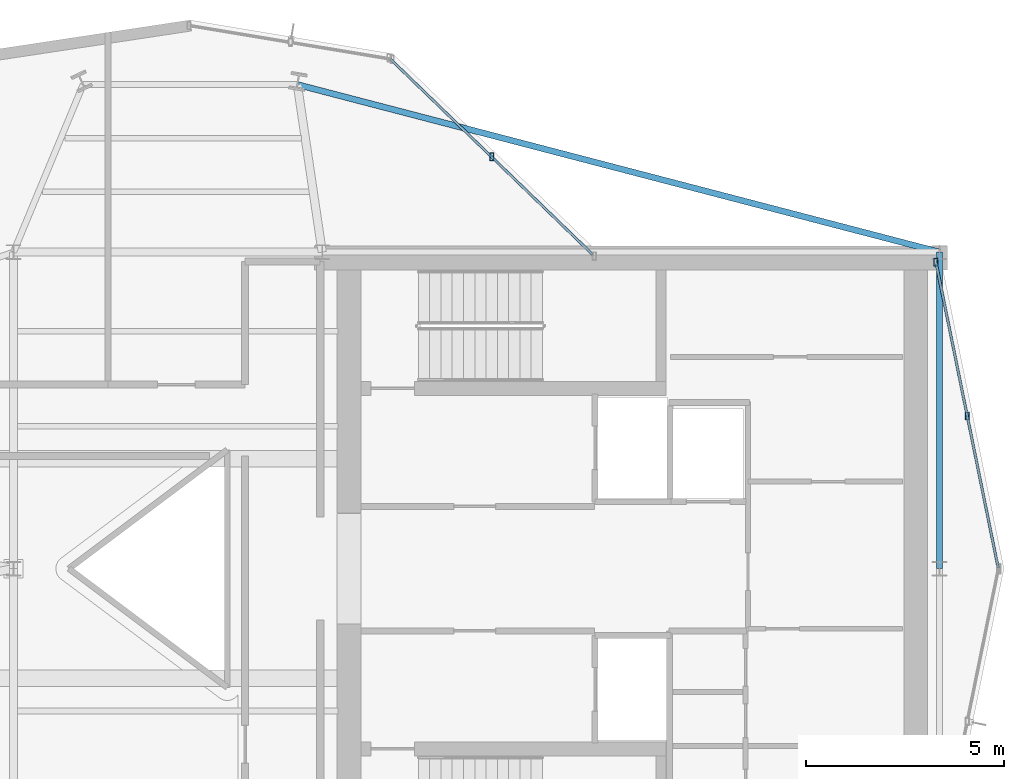
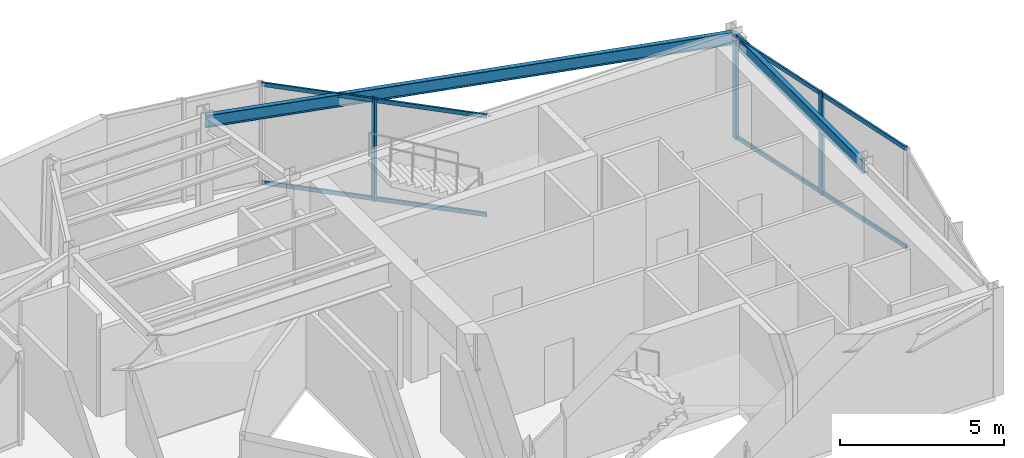
# One storey, part 9 of 18: 7 members, 2 beams, 2 elements without a shape of their own.
"""IFC4 building model written with IfcOpenShell, lengths in metres."""

from ifc_helpers import new_model, si_unit, direction, frame, origin, origin_2d, place, context, subcontext, project, spatial, hollow_rectangle, i_section, extrude, material, layer, layer_set, material_profile, profile_set, type_object, element, aggregate, save


model = new_model("IFC4")

# Units and contexts
model_context = context("Model", 3, precision=1e-05, world=origin(), true_north=direction((0.0, 1.0)))
body_context = subcontext(model_context, "Body", "Model", "MODEL_VIEW")
ifc_project = project(units=[si_unit("LENGTHUNIT", "METRE"), si_unit("AREAUNIT", "SQUARE_METRE"), si_unit("VOLUMEUNIT", "CUBIC_METRE"), si_unit("PLANEANGLEUNIT", "RADIAN"), si_unit("MASSUNIT", "GRAM", prefix="KILO")], contexts=[model_context])

# Site, building, storey
site_placement = place(None, origin())
site = spatial("IfcSite", under=ifc_project, at=site_placement, CompositionType="ELEMENT")
building_placement = place(site_placement, origin())
building = spatial("IfcBuilding", under=site, at=building_placement, Name="Veymaron Broadcast Tower", CompositionType="ELEMENT")
storey_placement = place(building_placement, frame((0.0, 0.0, 319.5)))
storey = spatial("IfcBuildingStorey", under=building, at=storey_placement, Name="L75", CompositionType="ELEMENT", Elevation=319.5)

# Beams
ifc_material_1 = material(Name="Structural steel ASTM A992 Gr 50", Category="steel")
ifc_material_profile_1 = material_profile(ifc_material_1, i_section(OverallWidth=0.154052734375, OverallDepth=0.458984375, WebThickness=0.009033203125, FlangeThickness=0.015380859375, at=origin_2d()), Name="W460X68")
ifc_profile_set_1 = profile_set([ifc_material_profile_1], Name="Structural steel ASTM A992 Gr 50")
beam_type = type_object("IfcBeamType", Name="BM-SP2", PredefinedType="SPANDREL", material=ifc_profile_set_1)
beam_1_placement = place(storey_placement, frame((54.60009765625, 24.0, 3.58056640625), z_axis=(0.0, 1.0, 0.0), x_axis=(-1.0, 0.0, 0.0)))
element("IfcBeam", 1, at=beam_1_placement, inside=storey, type_object=beam_type, Name="L75 primary structural floor girder", PredefinedType="SPANDREL", context=body_context, shape_type="SweptSolid", body=[
    extrude(i_section(OverallWidth=0.154052734375, OverallDepth=0.458984375, WebThickness=0.009033203125, FlangeThickness=0.015380859375, at=origin_2d()), origin(), (0.0, 0.0, 1.0), 8.0),
])
beam_2_placement = place(storey_placement, frame((54.60009765625, 32.0, 3.58056640625), z_axis=(-0.967638602799, 0.252340116457, 0.0), x_axis=(-0.252340116457, -0.967638602799, 0.0)))
element("IfcBeam", 2, at=beam_2_placement, inside=storey, type_object=beam_type, Name="L75 primary structural floor girder", PredefinedType="SPANDREL", context=body_context, shape_type="SweptSolid", body=[
    extrude(i_section(OverallWidth=0.154052734375, OverallDepth=0.458984375, WebThickness=0.009033203125, FlangeThickness=0.015380859375, at=origin_2d()), origin(), (0.0, 0.0, 1.0), 16.770751953125),
])

# Curtain wall, members
ifc_material_2 = material(Name="Anodised aluminium AA 6063-T6 and laminated low-E dark glass", Category="aluminium")
ifc_layer = layer(ifc_material_2, 0.179931640625)
ifc_layer_set = layer_set([ifc_layer], Name="Anodised aluminium AA 6063-T6 and laminated low-E dark glass")
curtain_wall_type = type_object("IfcCurtainWallType", Name="CW-SYS-07", PredefinedType="NOTDEFINED", material=ifc_layer_set)
curtain_wall_1_placement = place(storey_placement, origin())
curtain_wall_1 = element("IfcCurtainWall", 3, at=curtain_wall_1_placement, inside=storey, type_object=curtain_wall_type, Name="L75 dark-glass curtain wall CW-L75-E11-1", PredefinedType="NOTDEFINED")
ifc_material_3 = material(Name="Anodised aluminium AA 6063-T6", Category="aluminium")
ifc_material_profile_2 = material_profile(ifc_material_3, hollow_rectangle(XDim=0.10009765625, YDim=0.199951171875, WallThickness=0.010009765625, at=origin_2d()), Name="RHS200X100X10")
ifc_profile_set_2 = profile_set([ifc_material_profile_2], Name="Anodised aluminium AA 6063-T6")
member_type_1 = type_object("IfcMemberType", Name="CW-MUL-01", PredefinedType="MULLION", material=ifc_profile_set_2)
member_1_placement = place(storey_placement, frame((55.301025390625, 27.856689453125, 0.0), z_axis=(0.0, 0.0, 1.0), x_axis=(1.0, 0.0, 0.0)))
member_1 = element("IfcMember", 4, at=member_1_placement, type_object=member_type_1, Name="CW-L75-E11-1 mullion 1", PredefinedType="MULLION", context=body_context, shape_type="SweptSolid", body=[
    extrude(hollow_rectangle(XDim=0.10009765625, YDim=0.199951171875, WallThickness=0.010009765625, at=origin_2d()), origin(), (0.0, 0.0, 1.0), 3.81005859375),
])
member_2_placement = place(storey_placement, frame((54.509765625, 31.7412109375, 0.0), z_axis=(0.0, 0.0, 1.0), x_axis=(1.0, 0.0, 0.0)))
member_2 = element("IfcMember", 5, at=member_2_placement, type_object=member_type_1, Name="CW-L75-E11-1 mullion 2", PredefinedType="MULLION", context=body_context, shape_type="SweptSolid", body=[
    extrude(hollow_rectangle(XDim=0.10009765625, YDim=0.199951171875, WallThickness=0.010009765625, at=origin_2d()), origin(), (0.0, 0.0, 1.0), 3.81005859375),
])

# Curtain wall, member
curtain_wall_2_placement = place(storey_placement, origin())
curtain_wall_2 = element("IfcCurtainWall", 6, at=curtain_wall_2_placement, inside=storey, type_object=curtain_wall_type, Name="L75 dark-glass curtain wall CW-L75-E13-1", PredefinedType="NOTDEFINED")
member_3_placement = place(storey_placement, frame((43.281982421875, 34.40478515625, 0.0), z_axis=(0.0, 0.0, 1.0), x_axis=(1.0, 0.0, 0.0)))
member_3 = element("IfcMember", 7, at=member_3_placement, type_object=member_type_1, Name="CW-L75-E13-1 mullion 1", PredefinedType="MULLION", context=body_context, shape_type="SweptSolid", body=[
    extrude(hollow_rectangle(XDim=0.10009765625, YDim=0.199951171875, WallThickness=0.010009765625, at=origin_2d()), origin(), (0.0, 0.0, 1.0), 3.81005859375),
])

# Member
ifc_material_profile_3 = material_profile(ifc_material_3, hollow_rectangle(XDim=0.06494140625, YDim=0.14990234375, WallThickness=0.00390625, at=origin_2d()), Name="AL150X65X4")
ifc_profile_set_3 = profile_set([ifc_material_profile_3], Name="Anodised aluminium AA 6063-T6")
member_type_2 = type_object("IfcMemberType", Name="CW-TRN-01", PredefinedType="USERDEFINED", material=ifc_profile_set_3)
member_4_placement = place(storey_placement, frame((56.08251953125, 24.02099609375, 0.070068359375), z_axis=(-0.1996111359, 0.97987519329, 0.0), x_axis=(-0.97987519329, -0.1996111359, 0.0)))
member_4 = element("IfcMember", 8, at=member_4_placement, type_object=member_type_2, Name="CW-L75-E11-1 transom B", ObjectType="TRANSOM", PredefinedType="USERDEFINED", context=body_context, shape_type="SweptSolid", body=[
    extrude(hollow_rectangle(XDim=0.06494140625, YDim=0.14990234375, WallThickness=0.00390625, at=origin_2d()), origin(), (0.0, 0.0, 1.0), 7.828857421875),
])

member_5_placement = place(storey_placement, frame((56.08251953125, 24.02099609375, 3.739990234375), z_axis=(-0.1996111359, 0.97987519329, 0.0), x_axis=(-0.97987519329, -0.1996111359, 0.0)))
member_5 = element("IfcMember", 9, at=member_5_placement, type_object=member_type_2, Name="CW-L75-E11-1 transom T", ObjectType="TRANSOM", PredefinedType="USERDEFINED", context=body_context, shape_type="SweptSolid", body=[
    extrude(hollow_rectangle(XDim=0.06494140625, YDim=0.14990234375, WallThickness=0.00390625, at=origin_2d()), origin(), (0.0, 0.0, 1.0), 7.828857421875),
])

aggregate(curtain_wall_1, [member_1, member_2, member_4, member_5])

member_6_placement = place(storey_placement, frame((45.8388671875, 31.93408203125, 0.070068359375), z_axis=(-0.719105025557, 0.694901404674, 0.0), x_axis=(-0.694901404674, -0.719105025557, 0.0)))
member_6 = element("IfcMember", 10, at=member_6_placement, type_object=member_type_2, Name="CW-L75-E13-1 transom B", ObjectType="TRANSOM", PredefinedType="USERDEFINED", context=body_context, shape_type="SweptSolid", body=[
    extrude(hollow_rectangle(XDim=0.06494140625, YDim=0.14990234375, WallThickness=0.00390625, at=origin_2d()), origin(), (0.0, 0.0, 1.0), 7.111328125),
])

member_7_placement = place(storey_placement, frame((45.8388671875, 31.93408203125, 3.739990234375), z_axis=(-0.719105025557, 0.694901404674, 0.0), x_axis=(-0.694901404674, -0.719105025557, 0.0)))
member_7 = element("IfcMember", 11, at=member_7_placement, type_object=member_type_2, Name="CW-L75-E13-1 transom T", ObjectType="TRANSOM", PredefinedType="USERDEFINED", context=body_context, shape_type="SweptSolid", body=[
    extrude(hollow_rectangle(XDim=0.06494140625, YDim=0.14990234375, WallThickness=0.00390625, at=origin_2d()), origin(), (0.0, 0.0, 1.0), 7.111328125),
])

aggregate(curtain_wall_2, [member_3, member_6, member_7])

save(model, "model.ifc")
